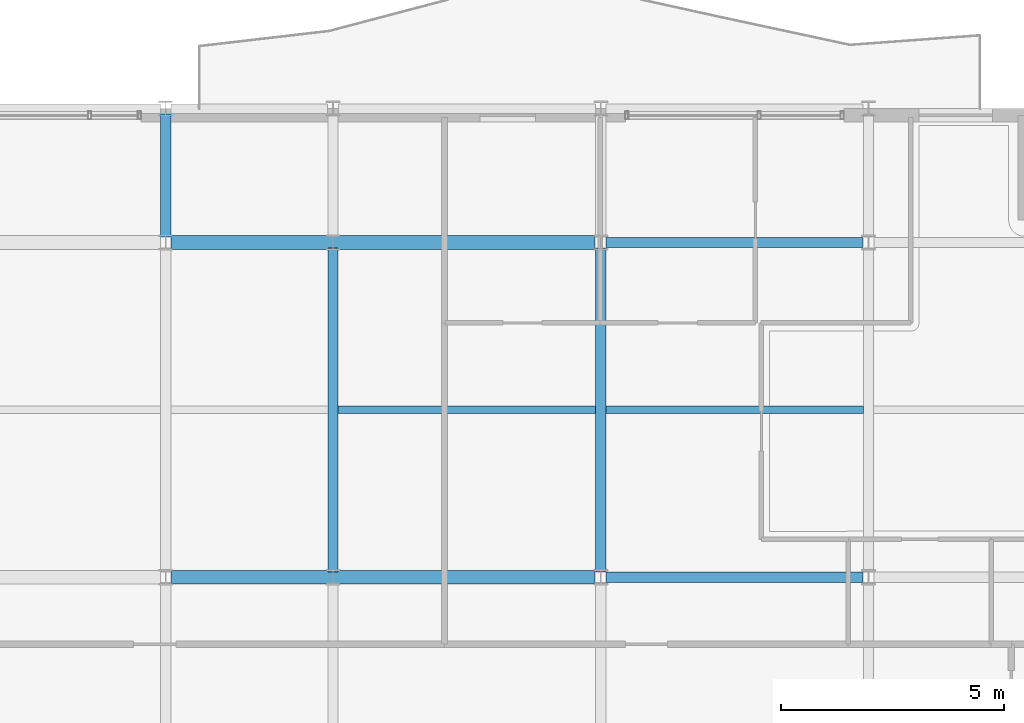
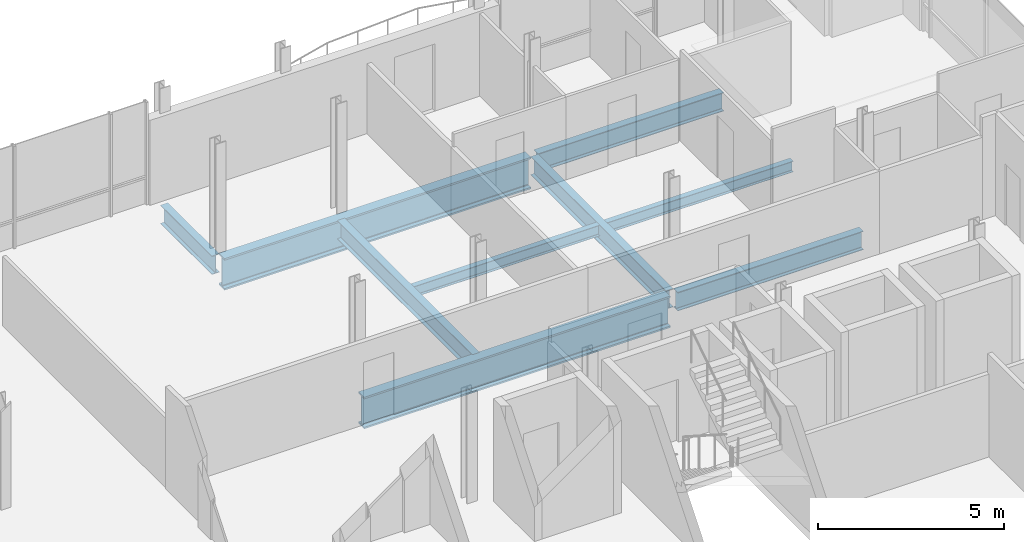
# One storey, part 6 of 18: 9 beams.
"""IFC4 building model written with IfcOpenShell, lengths in metres."""

from ifc_helpers import new_model, si_unit, direction, frame, origin, origin_2d, place, context, subcontext, project, spatial, i_section, extrude, material, material_profile, profile_set, type_object, element, save


model = new_model("IFC4")

# Units and contexts
model_context = context("Model", 3, precision=1e-05, world=origin(), true_north=direction((0.0, 1.0)))
body_context = subcontext(model_context, "Body", "Model", "MODEL_VIEW")
ifc_project = project(units=[si_unit("LENGTHUNIT", "METRE"), si_unit("AREAUNIT", "SQUARE_METRE"), si_unit("VOLUMEUNIT", "CUBIC_METRE"), si_unit("PLANEANGLEUNIT", "RADIAN"), si_unit("MASSUNIT", "GRAM", prefix="KILO")], contexts=[model_context])

# Site, building, storey
site_placement = place(None, origin())
site = spatial("IfcSite", under=ifc_project, at=site_placement, CompositionType="ELEMENT")
building_placement = place(site_placement, origin())
building = spatial("IfcBuilding", under=site, at=building_placement, Name="Brevholm Reach", CompositionType="ELEMENT")
storey_placement = place(building_placement, frame((0.0, 0.0, 240.050048828125)))
storey = spatial("IfcBuildingStorey", under=building, at=storey_placement, Name="L73", CompositionType="ELEMENT", Elevation=240.050048828125)

# Beams
ifc_material_1 = material(Name="Structural Steel S355J2", Category="steel")
ifc_material_profile_1 = material_profile(ifc_material_1, i_section(OverallWidth=0.17138671875, OverallDepth=0.35498046875, WebThickness=0.00732421875, FlangeThickness=0.011474609375, FilletRadius=0.01025390625, at=origin_2d()), Name="UKB 356x171x51")
ifc_profile_set_1 = profile_set([ifc_material_profile_1], Name="Structural Steel S355J2")
beam_type_1 = type_object("IfcBeamType", Name="BM-B356", PredefinedType="BEAM", material=ifc_profile_set_1)
for number, where, z_axis, x_axis, name in (
    (1, (42.114501953125, 19.75, -0.427490234375), (1.0, 0.0, 0.0), (0.0, 1.0, 0.0), "L73 Composite Secondary Floor Beam"),
    (2, (48.114501953125, 19.75, -0.427490234375), (1.0, 0.0, 0.0), (0.0, 1.0, 0.0), "L73 Composite Secondary Floor Beam"),
):
    element("IfcBeam", number, at=place(storey_placement, frame(where, z_axis=z_axis, x_axis=x_axis)), inside=storey, type_object=beam_type_1, Name=name, PredefinedType="BEAM", context=body_context, shape_type="SweptSolid", body=[
        extrude(i_section(OverallWidth=0.17138671875, OverallDepth=0.35498046875, WebThickness=0.00732421875, FlangeThickness=0.011474609375, FilletRadius=0.01025390625, at=origin_2d()), origin(), (0.0, 0.0, 1.0), 5.77099609375),
    ])
ifc_material_2 = material(Name="Structural Steel S355J2", Category="steel")
ifc_material_profile_2 = material_profile(ifc_material_2, i_section(OverallWidth=0.22900390625, OverallDepth=0.6123046875, WebThickness=0.011962890625, FlangeThickness=0.01953125, FilletRadius=0.0126953125, at=origin_2d()), Name="UKB 610x229x125")
ifc_profile_set_2 = profile_set([ifc_material_profile_2], Name="Structural Steel S355J2")
beam_type_2 = type_object("IfcBeamType", Name="BM-SP610", PredefinedType="SPANDREL", material=ifc_profile_set_2)
for number, where, z_axis, x_axis, name in (
    (3, (48.1201171875, 16.0, -0.55615234375), (1.0, 0.0, 0.0), (0.0, 1.0, 0.0), "L73 SP-01 Framing Beam"),
    (4, (48.1201171875, 23.5, -0.55615234375), (1.0, 0.0, 0.0), (0.0, 1.0, 0.0), "L73 SP-01 Framing Beam"),
):
    element("IfcBeam", number, at=place(storey_placement, frame(where, z_axis=z_axis, x_axis=x_axis)), inside=storey, type_object=beam_type_2, Name=name, PredefinedType="SPANDREL", context=body_context, shape_type="SweptSolid", body=[
        extrude(i_section(OverallWidth=0.22900390625, OverallDepth=0.6123046875, WebThickness=0.011962890625, FlangeThickness=0.01953125, FilletRadius=0.0126953125, at=origin_2d()), origin(), (0.0, 0.0, 1.0), 5.759765625),
    ])
beam_placement = place(storey_placement, frame((38.25, 23.6201171875, -0.55615234375), z_axis=(0.0, 1.0, 0.0), x_axis=(-1.0, 0.0, 0.0)))
element("IfcBeam", 5, at=beam_placement, inside=storey, type_object=beam_type_2, Name="L73 SP-01 Framing Beam", PredefinedType="SPANDREL", context=body_context, shape_type="SweptSolid", body=[
    extrude(i_section(OverallWidth=0.22900390625, OverallDepth=0.6123046875, WebThickness=0.011962890625, FlangeThickness=0.01953125, FilletRadius=0.0126953125, at=origin_2d()), origin(), (0.0, 0.0, 1.0), 2.759765625),
])
for number, where, z_axis, x_axis, name in (
    (6, (42.0, 16.1201171875, -0.55615234375), (0.0, 1.0, 0.0), (-1.0, 0.0, 0.0), "L73 SP-01 Framing Beam"),
    (7, (48.0, 16.1201171875, -0.55615234375), (0.0, 1.0, 0.0), (-1.0, 0.0, 0.0), "L73 SP-01 Framing Beam"),
):
    element("IfcBeam", number, at=place(storey_placement, frame(where, z_axis=z_axis, x_axis=x_axis)), inside=storey, type_object=beam_type_2, Name=name, PredefinedType="SPANDREL", context=body_context, shape_type="SweptSolid", body=[
        extrude(i_section(OverallWidth=0.22900390625, OverallDepth=0.6123046875, WebThickness=0.011962890625, FlangeThickness=0.01953125, FilletRadius=0.0126953125, at=origin_2d()), origin(), (0.0, 0.0, 1.0), 7.259765625),
    ])
ifc_material_3 = material(Name="Structural Steel S460ML", Category="steel")
ifc_material_profile_3 = material_profile(ifc_material_3, i_section(OverallWidth=0.30859375, OverallDepth=1.036376953125, WebThickness=0.030029296875, FlangeThickness=0.05419921875, FilletRadius=0.030029296875, at=origin_2d()), Name="UKB 1016x305x487")
ifc_profile_set_3 = profile_set([ifc_material_profile_3], Name="Structural Steel S460ML")
beam_type_3 = type_object("IfcBeamType", Name="BM-UKB1016", PredefinedType="USERDEFINED", material=ifc_profile_set_3)
for number, where, z_axis, x_axis, name in (
    (8, (38.3701171875, 16.0, -0.768310546875), (1.0, 0.0, 0.0), (0.0, 1.0, 0.0), "L73 Sky-Lounge Back-Span Girder 2"),
    (9, (38.3701171875, 23.5, -0.768310546875), (1.0, 0.0, 0.0), (0.0, 1.0, 0.0), "L73 Sky-Lounge Back-Span Girder 2"),
):
    element("IfcBeam", number, at=place(storey_placement, frame(where, z_axis=z_axis, x_axis=x_axis)), inside=storey, type_object=beam_type_3, Name=name, ObjectType="GIRDER", PredefinedType="USERDEFINED", context=body_context, shape_type="SweptSolid", body=[
        extrude(i_section(OverallWidth=0.30859375, OverallDepth=1.036376953125, WebThickness=0.030029296875, FlangeThickness=0.05419921875, FilletRadius=0.030029296875, at=origin_2d()), origin(), (0.0, 0.0, 1.0), 9.5),
    ])

save(model, "model.ifc")
